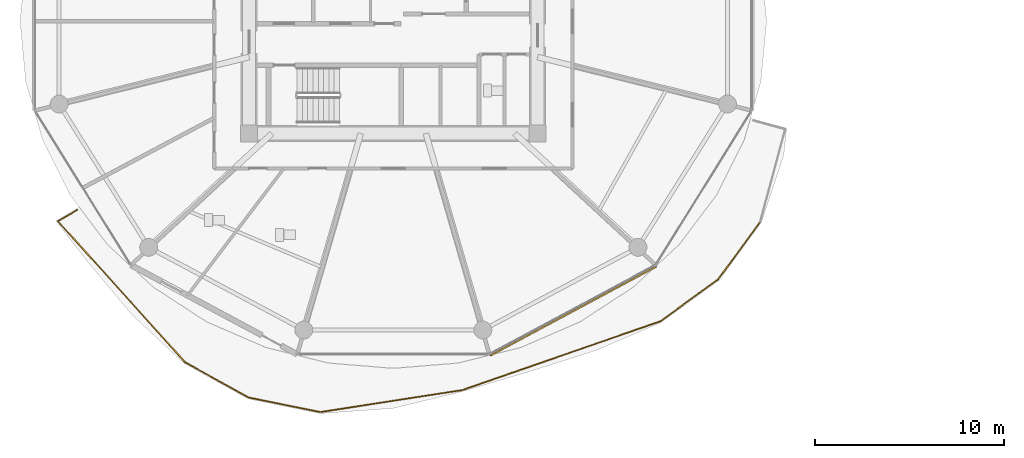
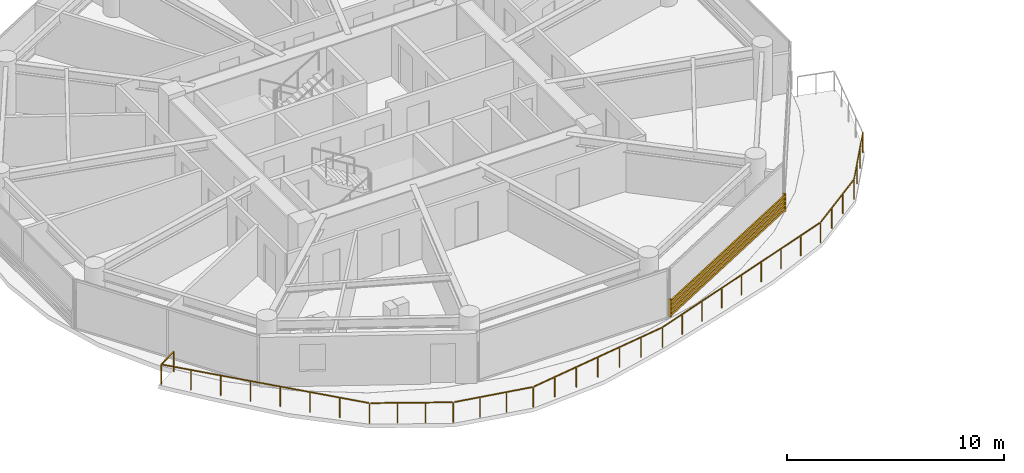
# One storey, part 22 of 27: 1 railing, 1 shading device.
"""IFC4 building model written with IfcOpenShell, lengths in metres."""

from ifc_helpers import new_model, si_unit, direction, frame, origin, origin_2d, place, context, subcontext, project, spatial, rectangle, extrude, source, transform, mapped, material, type_object, type_shapes, element, save


model = new_model("IFC4")

# Units and contexts
model_context = context("Model", 3, precision=1e-05, world=origin(), true_north=direction((0.0, 1.0)))
body_context = subcontext(model_context, "Body", "Model", "MODEL_VIEW")
ifc_project = project(units=[si_unit("LENGTHUNIT", "METRE"), si_unit("AREAUNIT", "SQUARE_METRE"), si_unit("VOLUMEUNIT", "CUBIC_METRE"), si_unit("PLANEANGLEUNIT", "RADIAN"), si_unit("MASSUNIT", "GRAM", prefix="KILO")], contexts=[model_context])

# Site, building, storey
site_placement = place(None, origin())
site = spatial("IfcSite", under=ifc_project, at=site_placement, CompositionType="ELEMENT")
building_placement = place(site_placement, origin())
building = spatial("IfcBuilding", under=site, at=building_placement, Name="Norrkilde Senior Care Towers", CompositionType="ELEMENT")
storey_placement = place(building_placement, frame((0.0, 0.0, 52.10009765625)))
storey = spatial("IfcBuildingStorey", under=building, at=storey_placement, Name="L15", CompositionType="ELEMENT", Elevation=52.10009765625)

# Railing
ifc_material_1 = material(Name="Anodised Aluminium", Category="aluminium")
railing_type = type_object("IfcRailingType", Name="Balcony Swirl Ribbon Guardrail 1150", PredefinedType="GUARDRAIL", material=ifc_material_1)
railing_placement = place(storey_placement, frame((-8.549560546875, -10.638427734375, 0.0)))
element("IfcRailing", 1, at=railing_placement, inside=storey, type_object=railing_type, Name="L15 Perimeter Safety Guard 03", PredefinedType="GUARDRAIL", context=body_context, shape_type="SweptSolid", body=[
    extrude(rectangle(XDim=0.048095703125, YDim=0.048095703125, at=origin_2d()), frame((0.0, 0.0, 1.1259765625), z_axis=(-0.589657567843, -0.807653361712, 0.0), x_axis=(0.807653361712, -0.589657567843, 0.0)), (0.0, 0.0, 1.0), 3.727783203125),
    extrude(rectangle(XDim=0.048095703125, YDim=0.048095703125, at=origin_2d()), frame((-2.25537109375, -3.067626953125, 1.1259765625), z_axis=(-0.80945063401, -0.587187935078, 0.0), x_axis=(0.587187935078, -0.80945063401, 0.0)), (0.0, 0.0, 1.0), 3.712158203125),
    extrude(rectangle(XDim=0.048095703125, YDim=0.048095703125, at=origin_2d()), frame((-5.331787109375, -5.284912109375, 1.1259765625), z_axis=(-0.944634305176, -0.32812502112, 0.0), x_axis=(0.32812502112, -0.944634305176, 0.0)), (0.0, 0.0, 1.0), 11.025390625),
    extrude(rectangle(XDim=0.048095703125, YDim=0.048095703125, at=origin_2d()), frame((-15.82568359375, -8.92236328125, 1.1259765625), z_axis=(-0.988197138032, -0.153187520329, 0.0), x_axis=(0.153187520329, -0.988197138032, 0.0)), (0.0, 0.0, 1.0), 7.5458984375),
    extrude(rectangle(XDim=0.048095703125, YDim=0.048095703125, at=origin_2d()), frame((-23.363037109375, -10.076416015625, 1.1259765625), z_axis=(-0.979925814475, 0.199362479231, 0.0), x_axis=(-0.199362479231, -0.979925814475, 0.0)), (0.0, 0.0, 1.0), 3.79296875),
    extrude(rectangle(XDim=0.048095703125, YDim=0.048095703125, at=origin_2d()), frame((-27.155517578125, -9.292236328125, 1.1259765625), z_axis=(-0.874804988354, 0.48447521335, 0.0), x_axis=(-0.48447521335, -0.874804988354, 0.0)), (0.0, 0.0, 1.0), 3.771728515625),
    extrude(rectangle(XDim=0.048095703125, YDim=0.048095703125, at=origin_2d()), frame((-30.518310546875, -7.414794921875, 1.1259765625), z_axis=(-0.669659478001, 0.742668286332, 0.0), x_axis=(-0.742668286332, -0.669659478001, 0.0)), (0.0, 0.0, 1.0), 9.990234375),
    extrude(rectangle(XDim=0.048095703125, YDim=0.048095703125, at=origin_2d()), frame((-37.20068359375, 0.055908203125, 1.1259765625), z_axis=(0.86095531973, 0.508680584875, 0.0), x_axis=(-0.508680584875, 0.86095531973, 0.0)), (0.0, 0.0, 1.0), 1.140869140625),
    extrude(rectangle(XDim=0.0419921875, YDim=0.0419921875, at=origin_2d()), origin(), (0.0, 0.0, 1.0), 1.099853515625),
    extrude(rectangle(XDim=0.0419921875, YDim=0.0419921875, at=origin_2d()), frame((-0.74072265625, -1.0146484375, 0.0)), (0.0, 0.0, 1.0), 1.099853515625),
    extrude(rectangle(XDim=0.0419921875, YDim=0.0419921875, at=origin_2d()), frame((-1.4814453125, -2.029052734375, 0.0)), (0.0, 0.0, 1.0), 1.099853515625),
    extrude(rectangle(XDim=0.0419921875, YDim=0.0419921875, at=origin_2d()), frame((-2.22216796875, -3.043701171875, 0.0)), (0.0, 0.0, 1.0), 1.099853515625),
    extrude(rectangle(XDim=0.0419921875, YDim=0.0419921875, at=origin_2d()), frame((-3.245849609375, -3.786376953125, 0.0)), (0.0, 0.0, 1.0), 1.099853515625),
    extrude(rectangle(XDim=0.0419921875, YDim=0.0419921875, at=origin_2d()), frame((-4.26953125, -4.52880859375, 0.0)), (0.0, 0.0, 1.0), 1.099853515625),
    extrude(rectangle(XDim=0.0419921875, YDim=0.0419921875, at=origin_2d()), frame((-5.293212890625, -5.271484375, 0.0)), (0.0, 0.0, 1.0), 1.099853515625),
    extrude(rectangle(XDim=0.0419921875, YDim=0.0419921875, at=origin_2d()), frame((-6.604736328125, -5.72705078125, 0.0)), (0.0, 0.0, 1.0), 1.099853515625),
    extrude(rectangle(XDim=0.0419921875, YDim=0.0419921875, at=origin_2d()), frame((-7.916259765625, -6.1826171875, 0.0)), (0.0, 0.0, 1.0), 1.099853515625),
    extrude(rectangle(XDim=0.0419921875, YDim=0.0419921875, at=origin_2d()), frame((-9.227783203125, -6.63818359375, 0.0)), (0.0, 0.0, 1.0), 1.099853515625),
    extrude(rectangle(XDim=0.0419921875, YDim=0.0419921875, at=origin_2d()), frame((-10.539306640625, -7.09375, 0.0)), (0.0, 0.0, 1.0), 1.099853515625),
    extrude(rectangle(XDim=0.0419921875, YDim=0.0419921875, at=origin_2d()), frame((-11.850830078125, -7.54931640625, 0.0)), (0.0, 0.0, 1.0), 1.099853515625),
    extrude(rectangle(XDim=0.0419921875, YDim=0.0419921875, at=origin_2d()), frame((-13.162353515625, -8.0048828125, 0.0)), (0.0, 0.0, 1.0), 1.099853515625),
    extrude(rectangle(XDim=0.0419921875, YDim=0.0419921875, at=origin_2d()), frame((-14.473876953125, -8.46044921875, 0.0)), (0.0, 0.0, 1.0), 1.099853515625),
    extrude(rectangle(XDim=0.0419921875, YDim=0.0419921875, at=origin_2d()), frame((-15.785400390625, -8.916015625, 0.0)), (0.0, 0.0, 1.0), 1.099853515625),
    extrude(rectangle(XDim=0.0419921875, YDim=0.0419921875, at=origin_2d()), frame((-17.041748046875, -9.11083984375, 0.0)), (0.0, 0.0, 1.0), 1.099853515625),
    extrude(rectangle(XDim=0.0419921875, YDim=0.0419921875, at=origin_2d()), frame((-18.2978515625, -9.305419921875, 0.0)), (0.0, 0.0, 1.0), 1.099853515625),
    extrude(rectangle(XDim=0.0419921875, YDim=0.0419921875, at=origin_2d()), frame((-19.55419921875, -9.500244140625, 0.0)), (0.0, 0.0, 1.0), 1.099853515625),
    extrude(rectangle(XDim=0.0419921875, YDim=0.0419921875, at=origin_2d()), frame((-20.810546875, -9.695068359375, 0.0)), (0.0, 0.0, 1.0), 1.099853515625),
    extrude(rectangle(XDim=0.0419921875, YDim=0.0419921875, at=origin_2d()), frame((-22.066650390625, -9.8896484375, 0.0)), (0.0, 0.0, 1.0), 1.099853515625),
    extrude(rectangle(XDim=0.0419921875, YDim=0.0419921875, at=origin_2d()), frame((-23.322998046875, -10.08447265625, 0.0)), (0.0, 0.0, 1.0), 1.099853515625),
    extrude(rectangle(XDim=0.0419921875, YDim=0.0419921875, at=origin_2d()), frame((-24.588623046875, -9.826904296875, 0.0)), (0.0, 0.0, 1.0), 1.099853515625),
    extrude(rectangle(XDim=0.0419921875, YDim=0.0419921875, at=origin_2d()), frame((-25.854248046875, -9.569580078125, 0.0)), (0.0, 0.0, 1.0), 1.099853515625),
    extrude(rectangle(XDim=0.0419921875, YDim=0.0419921875, at=origin_2d()), frame((-27.119873046875, -9.31201171875, 0.0)), (0.0, 0.0, 1.0), 1.099853515625),
    extrude(rectangle(XDim=0.0419921875, YDim=0.0419921875, at=origin_2d()), frame((-28.24365234375, -8.689697265625, 0.0)), (0.0, 0.0, 1.0), 1.099853515625),
    extrude(rectangle(XDim=0.0419921875, YDim=0.0419921875, at=origin_2d()), frame((-29.3671875, -8.0673828125, 0.0)), (0.0, 0.0, 1.0), 1.099853515625),
    extrude(rectangle(XDim=0.0419921875, YDim=0.0419921875, at=origin_2d()), frame((-30.490966796875, -7.445068359375, 0.0)), (0.0, 0.0, 1.0), 1.099853515625),
    extrude(rectangle(XDim=0.0419921875, YDim=0.0419921875, at=origin_2d()), frame((-31.45458984375, -6.37646484375, 0.0)), (0.0, 0.0, 1.0), 1.099853515625),
    extrude(rectangle(XDim=0.0419921875, YDim=0.0419921875, at=origin_2d()), frame((-32.41796875, -5.307861328125, 0.0)), (0.0, 0.0, 1.0), 1.099853515625),
    extrude(rectangle(XDim=0.0419921875, YDim=0.0419921875, at=origin_2d()), frame((-33.381591796875, -4.2392578125, 0.0)), (0.0, 0.0, 1.0), 1.099853515625),
    extrude(rectangle(XDim=0.0419921875, YDim=0.0419921875, at=origin_2d()), frame((-34.34521484375, -3.170654296875, 0.0)), (0.0, 0.0, 1.0), 1.099853515625),
    extrude(rectangle(XDim=0.0419921875, YDim=0.0419921875, at=origin_2d()), frame((-35.308837890625, -2.10205078125, 0.0)), (0.0, 0.0, 1.0), 1.099853515625),
    extrude(rectangle(XDim=0.0419921875, YDim=0.0419921875, at=origin_2d()), frame((-36.272216796875, -1.033447265625, 0.0)), (0.0, 0.0, 1.0), 1.099853515625),
    extrude(rectangle(XDim=0.0419921875, YDim=0.0419921875, at=origin_2d()), frame((-37.23583984375, 0.03515625, 0.0)), (0.0, 0.0, 1.0), 1.099853515625),
    extrude(rectangle(XDim=0.0419921875, YDim=0.0419921875, at=origin_2d()), frame((-36.218505859375, 0.63623046875, 0.0)), (0.0, 0.0, 1.0), 1.099853515625),
])

# Shading device
ifc_material_2 = material(Name="Architectural Terracotta", Category="masonry")
shading_device_type = type_object("IfcShadingDeviceType", Name="Horizontal Terracotta Baguette Rack", PredefinedType="USERDEFINED", material=ifc_material_2)
shared_shape = source(origin(), body_context, "Body", "SweptSolid", [
    extrude(rectangle(XDim=0.070068359375, YDim=0.110107421875, at=origin_2d()), frame((0.0, 0.090087890625, 0.125), z_axis=(1.0, 0.0, 0.0), x_axis=(0.0, 1.0, 0.0)), (0.0, 0.0, 1.0), 10.0107421875),
    extrude(rectangle(XDim=0.070068359375, YDim=0.110107421875, at=origin_2d()), frame((0.0, 0.090087890625, 0.375), z_axis=(1.0, 0.0, 0.0), x_axis=(0.0, 1.0, 0.0)), (0.0, 0.0, 1.0), 10.0107421875),
    extrude(rectangle(XDim=0.070068359375, YDim=0.110107421875, at=origin_2d()), frame((0.0, 0.090087890625, 0.625), z_axis=(1.0, 0.0, 0.0), x_axis=(0.0, 1.0, 0.0)), (0.0, 0.0, 1.0), 10.0107421875),
    extrude(rectangle(XDim=0.070068359375, YDim=0.110107421875, at=origin_2d()), frame((0.0, 0.090087890625, 0.875), z_axis=(1.0, 0.0, 0.0), x_axis=(0.0, 1.0, 0.0)), (0.0, 0.0, 1.0), 10.0107421875),
    extrude(rectangle(XDim=0.050048828125, YDim=0.1552734375, at=origin_2d()), frame((0.02490234375, 0.047607421875, 0.0)), (0.0, 0.0, 1.0), 1.0),
    extrude(rectangle(XDim=0.050048828125, YDim=0.1552734375, at=origin_2d()), frame((9.98583984375, 0.047607421875, 0.0)), (0.0, 0.0, 1.0), 1.0),
])
type_shapes(shading_device_type, [shared_shape])
shading_device_placement = place(storey_placement, frame((-14.084228515625, -12.926025390625, 0.079833984375), z_axis=(0.0, 0.0, 1.0), x_axis=(-0.881279875134, -0.472612428056, 0.0)))
element("IfcShadingDevice", 2, at=shading_device_placement, inside=storey, type_object=shading_device_type, Name="L15 Drum W Terracotta Baguette Screen 09", ObjectType="BAGUETTE", PredefinedType="USERDEFINED", context=body_context, shape_type="MappedRepresentation", body=[
    mapped(shared_shape, transform((0.0, 0.0, 0.0), x_axis=(1.0, 0.0, 0.0), y_axis=(0.0, 1.0, 0.0), z_axis=(0.0, 0.0, 1.0), scale=1.0)),
])

save(model, "model.ifc")
